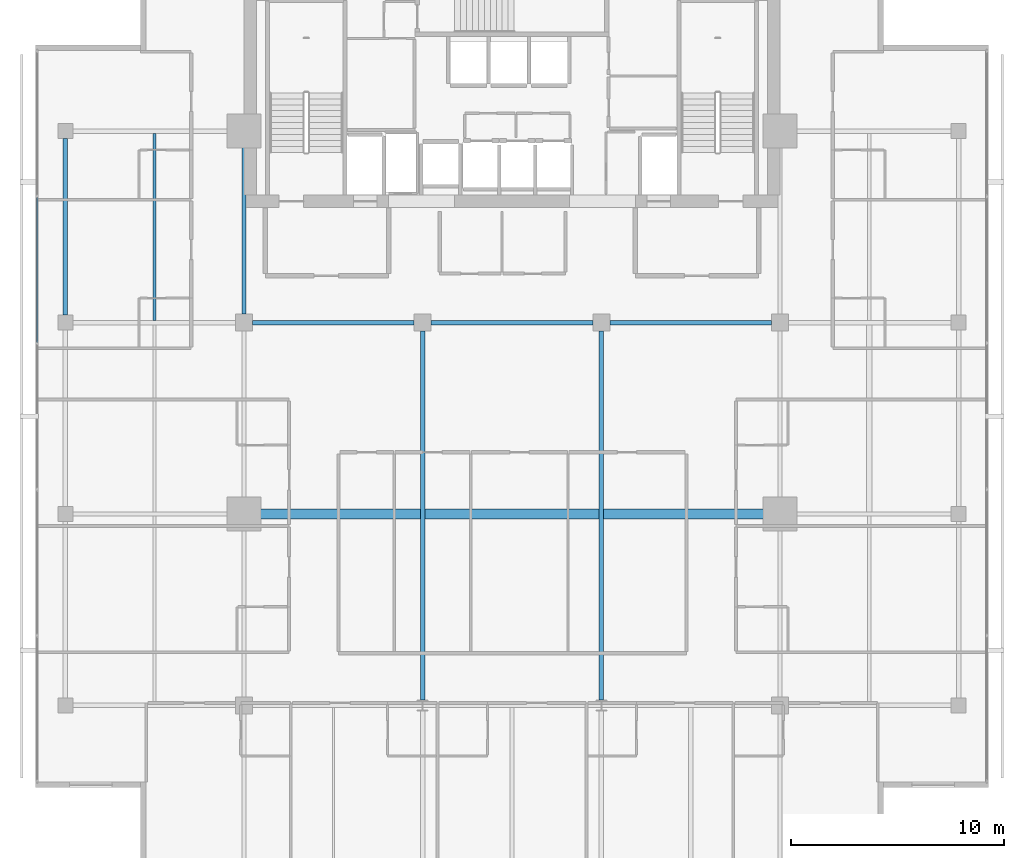
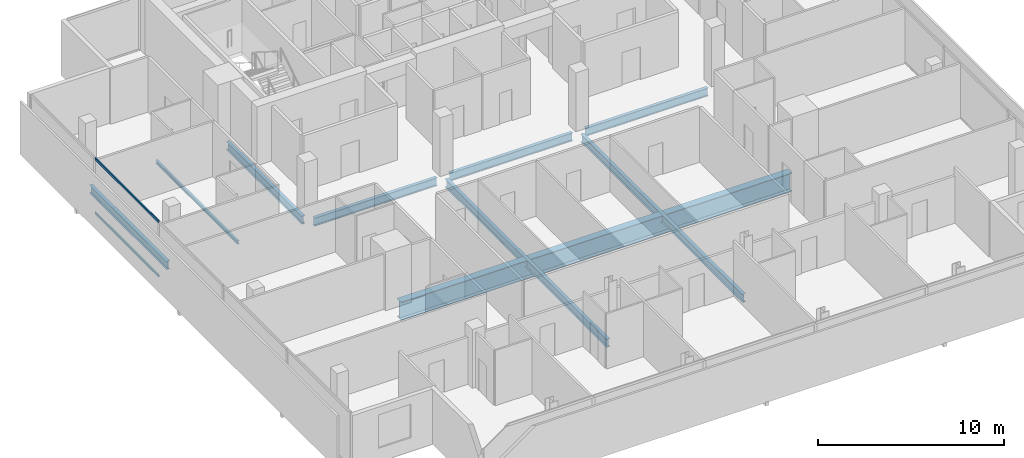
# One storey, part 9 of 26: 9 beams, 2 members, 1 element without a shape of its own.
"""IFC4 building model written with IfcOpenShell, lengths in metres."""

from ifc_helpers import new_model, si_unit, direction, frame, origin, origin_2d, place, context, subcontext, project, spatial, hollow_rectangle, i_section, extrude, material, layer, layer_set, material_profile, profile_set, type_object, element, aggregate, save


model = new_model("IFC4")

# Units and contexts
model_context = context("Model", 3, precision=1e-05, world=origin(), true_north=direction((0.0, 1.0)))
body_context = subcontext(model_context, "Body", "Model", "MODEL_VIEW")
ifc_project = project(units=[si_unit("LENGTHUNIT", "METRE"), si_unit("AREAUNIT", "SQUARE_METRE"), si_unit("VOLUMEUNIT", "CUBIC_METRE"), si_unit("PLANEANGLEUNIT", "RADIAN"), si_unit("MASSUNIT", "GRAM", prefix="KILO")], contexts=[model_context])

# Site, building, storey
site_placement = place(None, origin())
site = spatial("IfcSite", under=ifc_project, at=site_placement, CompositionType="ELEMENT")
building_placement = place(site_placement, origin())
building = spatial("IfcBuilding", under=site, at=building_placement, Name="Maruvema Waterfront Hotel and Observation Tower", CompositionType="ELEMENT")
storey_placement = place(building_placement, frame((0.0, 0.0, 266.35009765625)))
storey = spatial("IfcBuildingStorey", under=building, at=storey_placement, Name="L65", CompositionType="ELEMENT", Elevation=266.35009765625)

# Curtain wall, members
ifc_material_1 = material(Name="Anodised bronze aluminium and solar-control low-E IGU", Category="aluminium")
ifc_layer = layer(ifc_material_1, 0.159912109375, Name="Zone 3 Champagne Inner Thermal Curtain Wall System CW-04")
ifc_layer_set = layer_set([ifc_layer], Name="Anodised bronze aluminium and solar-control low-E IGU")
curtain_wall_type = type_object("IfcCurtainWallType", Name="Zone 3 Champagne Inner Thermal Curtain Wall System CW-04", PredefinedType="USERDEFINED", material=ifc_layer_set)
curtain_wall_placement = place(storey_placement, origin())
curtain_wall = element("IfcCurtainWall", 1, at=curtain_wall_placement, inside=storey, type_object=curtain_wall_type, Name="L65 Curtain Wall CW-L65-W", ObjectType="UNITISED CURTAIN WALL", PredefinedType="USERDEFINED")
ifc_material_2 = material(Name="Anodised architectural bronze aluminium", Category="aluminium")
ifc_material_profile_1 = material_profile(ifc_material_2, hollow_rectangle(XDim=0.070068359375, YDim=0.14990234375, WallThickness=0.00390625, at=origin_2d()), Name="ALU-T70x150")
ifc_profile_set_1 = profile_set([ifc_material_profile_1], Name="Anodised architectural bronze aluminium")
member_type = type_object("IfcMemberType", Name="Curtain Wall Horizontal Transom ALU-T70x150", PredefinedType="USERDEFINED", material=ifc_profile_set_1)
member_1_placement = place(storey_placement, frame((15.47998046875, 41.889892578125, 0.02978515625), z_axis=(0.0, -1.0, 0.0), x_axis=(1.0, 0.0, 0.0)))
member_1 = element("IfcMember", 2, at=member_1_placement, type_object=member_type, Name="CW-04 transom 2.1", ObjectType="TRANSOM", PredefinedType="USERDEFINED", context=body_context, shape_type="SweptSolid", body=[
    extrude(hollow_rectangle(XDim=0.070068359375, YDim=0.14990234375, WallThickness=0.00390625, at=origin_2d()), origin(), (0.0, 0.0, 1.0), 6.81982421875),
])
member_2_placement = place(storey_placement, frame((15.47998046875, 41.889892578125, 3.579833984375), z_axis=(0.0, -1.0, 0.0), x_axis=(1.0, 0.0, 0.0)))
member_2 = element("IfcMember", 3, at=member_2_placement, type_object=member_type, Name="CW-04 transom 2.2", ObjectType="TRANSOM", PredefinedType="USERDEFINED", context=body_context, shape_type="SweptSolid", body=[
    extrude(hollow_rectangle(XDim=0.070068359375, YDim=0.14990234375, WallThickness=0.00390625, at=origin_2d()), origin(), (0.0, 0.0, 1.0), 6.81982421875),
])
aggregate(curtain_wall, [member_1, member_2])

# Beams
ifc_material_3 = material(Name="Steel ASTM A572 Grade 50", Category="steel")
ifc_material_profile_2 = material_profile(ifc_material_3, i_section(OverallWidth=0.208984375, OverallDepth=0.532958984375, WebThickness=0.01025390625, FlangeThickness=0.015625, FilletRadius=0.014892578125, at=origin_2d()), Name="W530x92.0")
ifc_profile_set_2 = profile_set([ifc_material_profile_2], Name="Steel ASTM A572 Grade 50")
beam_type_1 = type_object("IfcBeamType", Name="Primary Floor Girder W530x92.0", PredefinedType="BEAM", material=ifc_profile_set_2)
beam_1_placement = place(storey_placement, frame((25.60009765625, 36.0, -0.506591796875), z_axis=(1.0, 0.0, 0.0), x_axis=(0.0, 1.0, 0.0)))
element("IfcBeam", 4, at=beam_1_placement, inside=storey, type_object=beam_type_1, Name="L65 Floor Girder EW-13", PredefinedType="BEAM", context=body_context, shape_type="SweptSolid", body=[
    extrude(i_section(OverallWidth=0.208984375, OverallDepth=0.532958984375, WebThickness=0.01025390625, FlangeThickness=0.015625, FilletRadius=0.014892578125, at=origin_2d()), origin(), (0.0, 0.0, 1.0), 7.599853515625),
])
for number, where, z_axis, x_axis, name in (
    (5, (34.0, 36.0, -0.506591796875), (1.0, 0.0, 0.0), (0.0, 1.0, 0.0), "L65 Floor Girder EW-14"),
    (6, (42.39990234375, 36.0, -0.506591796875), (1.0, 0.0, 0.0), (0.0, 1.0, 0.0), "L65 Floor Girder EW-15"),
):
    element("IfcBeam", number, at=place(storey_placement, frame(where, z_axis=z_axis, x_axis=x_axis)), inside=storey, type_object=beam_type_1, Name=name, PredefinedType="BEAM", context=body_context, shape_type="SweptSolid", body=[
        extrude(i_section(OverallWidth=0.208984375, OverallDepth=0.532958984375, WebThickness=0.01025390625, FlangeThickness=0.015625, FilletRadius=0.014892578125, at=origin_2d()), origin(), (0.0, 0.0, 1.0), 7.60009765625),
    ])
beam_2_placement = place(storey_placement, frame((16.800048828125, 36.35009765625, -0.506591796875), z_axis=(0.0, 1.0, 0.0), x_axis=(-1.0, 0.0, 0.0)))
element("IfcBeam", 7, at=beam_2_placement, inside=storey, type_object=beam_type_1, Name="L65 Floor Girder NS-03", PredefinedType="BEAM", context=body_context, shape_type="SweptSolid", body=[
    extrude(i_section(OverallWidth=0.208984375, OverallDepth=0.532958984375, WebThickness=0.01025390625, FlangeThickness=0.015625, FilletRadius=0.014892578125, at=origin_2d()), origin(), (0.0, 0.0, 1.0), 8.2998046875),
])
beam_3_placement = place(storey_placement, frame((25.199951171875, 36.39990234375, -0.506591796875), z_axis=(0.0, 1.0, 0.0), x_axis=(-1.0, 0.0, 0.0)))
element("IfcBeam", 8, at=beam_3_placement, inside=storey, type_object=beam_type_1, Name="L65 Floor Girder NS-07", PredefinedType="BEAM", context=body_context, shape_type="SweptSolid", body=[
    extrude(i_section(OverallWidth=0.208984375, OverallDepth=0.532958984375, WebThickness=0.01025390625, FlangeThickness=0.015625, FilletRadius=0.014892578125, at=origin_2d()), origin(), (0.0, 0.0, 1.0), 8.10009765625),
])
for number, where, z_axis, x_axis, name in (
    (9, (33.60009765625, 18.25, -0.506591796875), (0.0, 1.0, 0.0), (-1.0, 0.0, 0.0), "L65 Floor Girder NS-09"),
    (10, (42.0, 18.25, -0.506591796875), (0.0, 1.0, 0.0), (-1.0, 0.0, 0.0), "L65 Floor Girder NS-11"),
):
    element("IfcBeam", number, at=place(storey_placement, frame(where, z_axis=z_axis, x_axis=x_axis)), inside=storey, type_object=beam_type_1, Name=name, PredefinedType="BEAM", context=body_context, shape_type="SweptSolid", body=[
        extrude(i_section(OverallWidth=0.208984375, OverallDepth=0.532958984375, WebThickness=0.01025390625, FlangeThickness=0.015625, FilletRadius=0.014892578125, at=origin_2d()), origin(), (0.0, 0.0, 1.0), 17.35009765625),
    ])
ifc_material_4 = material(Name="Steel ASTM A572 Grade 50", Category="steel")
ifc_material_profile_3 = material_profile(ifc_material_4, i_section(OverallWidth=0.133056640625, OverallDepth=0.20703125, WebThickness=0.005859375, FlangeThickness=0.00830078125, FilletRadius=0.010009765625, at=origin_2d()), Name="W200x26.6")
ifc_profile_set_3 = profile_set([ifc_material_profile_3], Name="Steel ASTM A572 Grade 50")
beam_type_2 = type_object("IfcBeamType", Name="Secondary Floor Joist W200x26.6", PredefinedType="JOIST", material=ifc_profile_set_3)
beam_4_placement = place(storey_placement, frame((21.0, 36.1044921875, -0.343505859375), z_axis=(0.0, 1.0, 0.0), x_axis=(-1.0, 0.0, 0.0)))
element("IfcBeam", 11, at=beam_4_placement, inside=storey, type_object=beam_type_2, Name="L65 Secondary Floor Joist JS-03", PredefinedType="JOIST", context=body_context, shape_type="SweptSolid", body=[
    extrude(i_section(OverallWidth=0.133056640625, OverallDepth=0.20703125, WebThickness=0.005859375, FlangeThickness=0.00830078125, FilletRadius=0.010009765625, at=origin_2d()), origin(), (0.0, 0.0, 1.0), 8.791015625),
])
ifc_material_5 = material(Name="Steel ABNT NBR 7007 AR 415 (ASTM A572 Grade 50)", Category="steel")
ifc_material_profile_4 = material_profile(ifc_material_5, i_section(OverallWidth=0.449951171875, OverallDepth=1.199951171875, WebThickness=0.01904296875, FlangeThickness=0.031982421875, at=origin_2d()), Name="VS1200x366")
ifc_profile_set_4 = profile_set([ifc_material_profile_4], Name="Steel ABNT NBR 7007 AR 415 (ASTM A572 Grade 50)")
beam_type_3 = type_object("IfcBeamType", Name="Upper Setback Transfer Girder VS1200x366", PredefinedType="USERDEFINED", material=ifc_profile_set_4)
beam_5_placement = place(storey_placement, frame((25.699951171875, 27.0, -0.840087890625), z_axis=(1.0, 0.0, 0.0), x_axis=(0.0, 1.0, 0.0)))
element("IfcBeam", 12, at=beam_5_placement, inside=storey, type_object=beam_type_3, Name="L65 Floor Girder EW-10", ObjectType="TRANSFER GIRDER", PredefinedType="USERDEFINED", context=body_context, shape_type="SweptSolid", body=[
    extrude(i_section(OverallWidth=0.449951171875, OverallDepth=1.199951171875, WebThickness=0.01904296875, FlangeThickness=0.031982421875, at=origin_2d()), origin(), (0.0, 0.0, 1.0), 24.199951171875),
])

save(model, "model.ifc")
